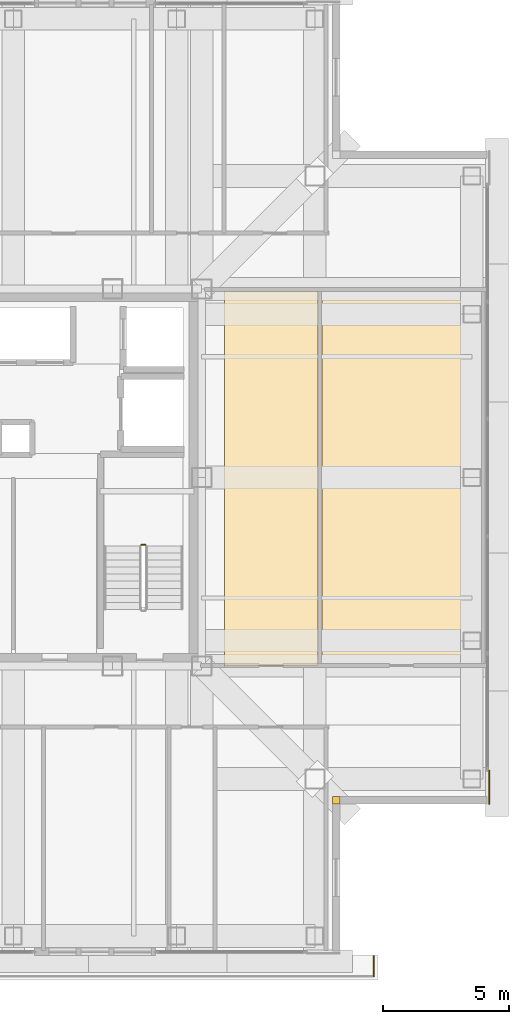
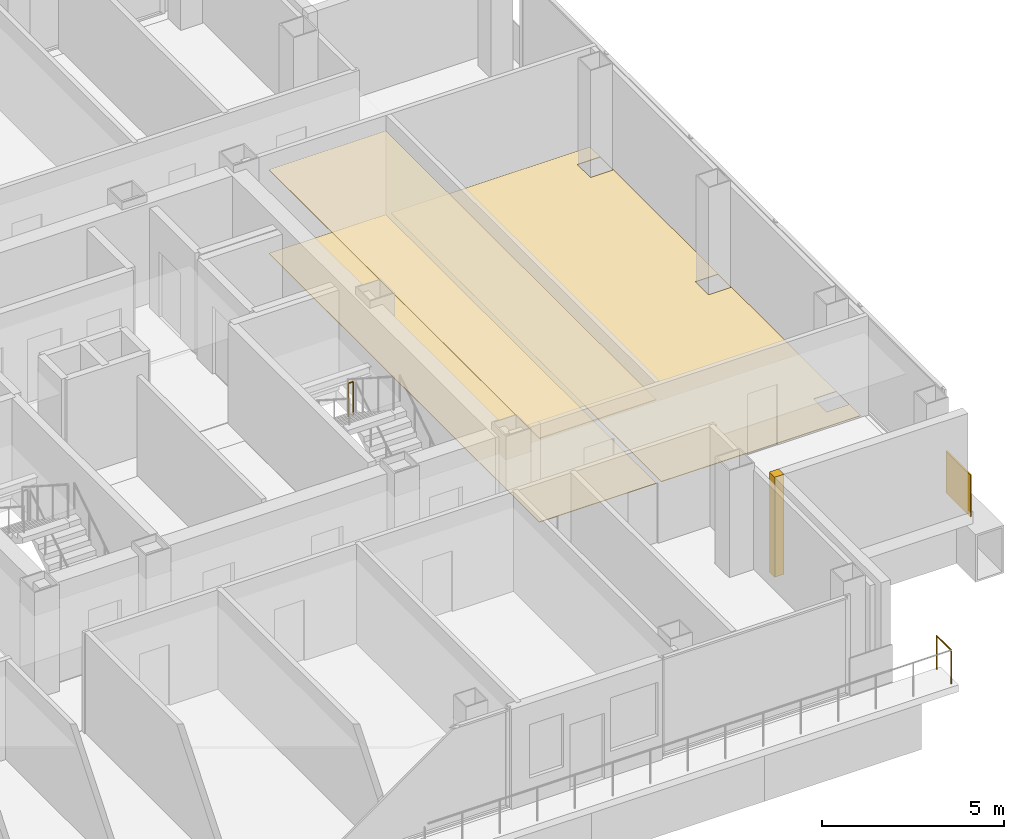
# One storey, part 14 of 15: 5 coverings, 2 railings.
"""IFC4 building model written with IfcOpenShell, lengths in metres."""

from ifc_helpers import new_model, si_unit, direction, frame, frame_2d, origin, origin_2d, place, context, subcontext, project, spatial, polyline, rectangle, circle, outline, extrude, material, layer, layer_set, type_object, element, save


model = new_model("IFC4")

# Units and contexts
model_context = context("Model", 3, precision=1e-05, world=origin(), true_north=direction((0.0, 1.0)))
body_context = subcontext(model_context, "Body", "Model", "MODEL_VIEW")
ifc_project = project(units=[si_unit("LENGTHUNIT", "METRE"), si_unit("AREAUNIT", "SQUARE_METRE"), si_unit("VOLUMEUNIT", "CUBIC_METRE"), si_unit("PLANEANGLEUNIT", "RADIAN"), si_unit("MASSUNIT", "GRAM", prefix="KILO")], contexts=[model_context])

# Site, building, storey
site_placement = place(None, origin())
site = spatial("IfcSite", under=ifc_project, at=site_placement, CompositionType="ELEMENT")
building_placement = place(site_placement, origin())
building = spatial("IfcBuilding", under=site, at=building_placement, Name="Trevonay Congress Spire", CompositionType="ELEMENT")
storey_placement = place(building_placement, frame((0.0, 0.0, 232.39990234375)))
storey = spatial("IfcBuildingStorey", under=building, at=storey_placement, Name="L60", CompositionType="ELEMENT", Elevation=232.39990234375)

# Coverings
ifc_material_1 = material(Name="Acoustic Mineral Fibre Board", Category="gypsum")
ifc_layer_1 = layer(ifc_material_1, 0.02490234375, Name="Acoustic Mineral Fibre Board")
ifc_layer_set_1 = layer_set([ifc_layer_1], Name="Acoustic Mineral Fibre Board")
covering_type_1 = type_object("IfcCoveringType", Name="COV-CEIL-ACOUSTIC", PredefinedType="CEILING", material=ifc_layer_set_1)
covering_1_placement = place(storey_placement, frame((0.0, 0.0, 2.81005859375)))
element("IfcCovering", 1, at=covering_1_placement, inside=storey, type_object=covering_type_1, Name="L60 Chancery Tea Pantry acoustic suspended ceiling", PredefinedType="CEILING", context=body_context, shape_type="SweptSolid", body=[
    extrude(outline(polyline([(8.39990234375, -7.47998046875), (12.1201171875, -7.47998046875), (12.1201171875, 7.419921875), (8.39990234375, 7.419921875), (8.39990234375, -7.47998046875)])), origin(), (0.0, 0.0, 1.0), 0.025146484375),
])
ifc_material_2 = material(Name="Polished Granite Floor Tile", Category="masonry")
ifc_layer_2 = layer(ifc_material_2, 0.02001953125, Name="Polished Granite Floor Tile")
ifc_layer_set_2 = layer_set([ifc_layer_2], Name="Polished Granite Floor Tile")
covering_type_2 = type_object("IfcCoveringType", Name="COV-FLOOR-STONE", PredefinedType="FLOORING", material=ifc_layer_set_2)
covering_2_placement = place(storey_placement, origin())
element("IfcCovering", 2, at=covering_2_placement, inside=storey, type_object=covering_type_2, Name="L60 Chancery Tea Pantry floor finish", PredefinedType="FLOORING", context=body_context, shape_type="SweptSolid", body=[
    extrude(outline(polyline([(8.39990234375, -7.47998046875), (12.1201171875, -7.47998046875), (12.1201171875, 7.419921875), (8.39990234375, 7.419921875), (8.39990234375, -7.47998046875)])), origin(), (0.0, 0.0, 1.0), 0.02001953125),
])
covering_3_placement = place(storey_placement, origin())
element("IfcCovering", 3, at=covering_3_placement, inside=storey, type_object=covering_type_2, Name="L60 Diplomatic Pouch Store floor finish", PredefinedType="FLOORING", context=body_context, shape_type="SweptSolid", body=[
    extrude(outline(polyline([(12.280029296875, 7.419921875), (18.6201171875, 7.419921875), (18.6201171875, -7.47998046875), (12.280029296875, -7.47998046875), (12.280029296875, 7.419921875)]), holes=[polyline([(17.889892578125, -6.860107421875), (18.610107421875, -6.860107421875), (18.610107421875, -6.139892578125), (17.889892578125, -6.139892578125), (17.889892578125, -6.860107421875)]), polyline([(17.889892578125, 0.360107421875), (17.889892578125, -0.360107421875), (18.610107421875, -0.360107421875), (18.610107421875, 0.360107421875), (17.889892578125, 0.360107421875)]), polyline([(17.889892578125, 6.860107421875), (17.889892578125, 6.139892578125), (18.610107421875, 6.139892578125), (18.610107421875, 6.860107421875), (17.889892578125, 6.860107421875)])]), origin(), (0.0, 0.0, 1.0), 0.02001953125),
])
ifc_material_3 = material(Name="Pale Anodised Aluminium EN AW-6063-T6", Category="aluminium")
ifc_layer_3 = layer(ifc_material_3, 0.0400390625, Name="Pale Anodised Aluminium EN AW-6063-T6")
ifc_layer_set_3 = layer_set([ifc_layer_3], Name="Pale Anodised Aluminium EN AW-6063-T6")
covering_type_3 = type_object("IfcCoveringType", Name="COV-SPANDREL-PALE-METAL", PredefinedType="CLADDING", material=ifc_layer_set_3)
covering_4_placement = place(storey_placement, origin())
element("IfcCovering", 4, at=covering_4_placement, inside=storey, type_object=covering_type_3, Name="L60 SE re-entrant notch corner closure trim", PredefinedType="CLADDING", context=body_context, shape_type="SweptSolid", body=[
    extrude(outline(polyline([(12.699951171875, -13.0), (13.0, -13.0), (13.0, -12.699951171875), (12.699951171875, -12.699951171875), (12.699951171875, -13.0)])), origin(), (0.0, 0.0, 1.0), 3.360107421875),
])
covering_5_placement = place(storey_placement, frame((18.93994140625, -11.64990234375, -0.14990234375), z_axis=(0.0, 0.0, 1.0), x_axis=(0.0, -1.0, 0.0)))
element("IfcCovering", 5, at=covering_5_placement, inside=storey, type_object=covering_type_3, Name="L60 SE corner pier spandrel cladding 1", PredefinedType="CLADDING", context=body_context, shape_type="SweptSolid", body=[
    extrude(rectangle(XDim=1.35009765625, YDim=0.0400390625, at=frame_2d((0.675048828125, 0.0))), origin(), (0.0, 0.0, 1.0), 1.39990234375),
])

# Railings
railing_type_1 = type_object("IfcRailingType", Name="RAL-BALUSTRADE-115", PredefinedType="BALUSTRADE", material=ifc_material_3)
railing_1_placement = place(storey_placement, frame((14.35009765625, -19.85009765625, 0.0)))
element("IfcRailing", 6, at=railing_1_placement, inside=storey, type_object=railing_type_1, Name="L60 perimeter safety guard GRD-L60-SKY-S-3", PredefinedType="BALUSTRADE", context=body_context, shape_type="SweptSolid", body=[
    extrude(circle(Radius=0.02392578125, at=origin_2d()), frame((0.0, 0.0, 1.1259765625), z_axis=(0.0, 1.0, 0.0), x_axis=(-1.0, 0.0, 0.0)), (0.0, 0.0, 1.0), 0.800048828125),
    extrude(circle(Radius=0.02099609375, at=origin_2d()), origin(), (0.0, 0.0, 1.0), 1.101806640625),
    extrude(circle(Radius=0.02099609375, at=origin_2d()), frame((0.0, 0.800048828125, 0.0)), (0.0, 0.0, 1.0), 1.101806640625),
])
railing_type_2 = type_object("IfcRailingType", Name="RAL-STAIR-GUARD-110", PredefinedType="GUARDRAIL", material=ifc_material_3)
railing_2_placement = place(storey_placement, frame((5.25, -2.679931640625, 1.800048828125)))
element("IfcRailing", 7, at=railing_2_placement, inside=storey, type_object=railing_type_2, Name="L60 ST-2 stair guard 2", PredefinedType="GUARDRAIL", context=body_context, shape_type="SweptSolid", body=[
    extrude(circle(Radius=0.02392578125, at=origin_2d()), frame((0.0, 0.0, 1.1259765625), z_axis=(-1.0, 0.0, 0.0), x_axis=(0.0, -1.0, 0.0)), (0.0, 0.0, 1.0), 0.14990234375),
    extrude(circle(Radius=0.02099609375, at=origin_2d()), origin(), (0.0, 0.0, 1.0), 1.101806640625),
    extrude(circle(Radius=0.02099609375, at=origin_2d()), frame((-0.14990234375, 0.0, 0.0)), (0.0, 0.0, 1.0), 1.101806640625),
])

save(model, "model.ifc")
